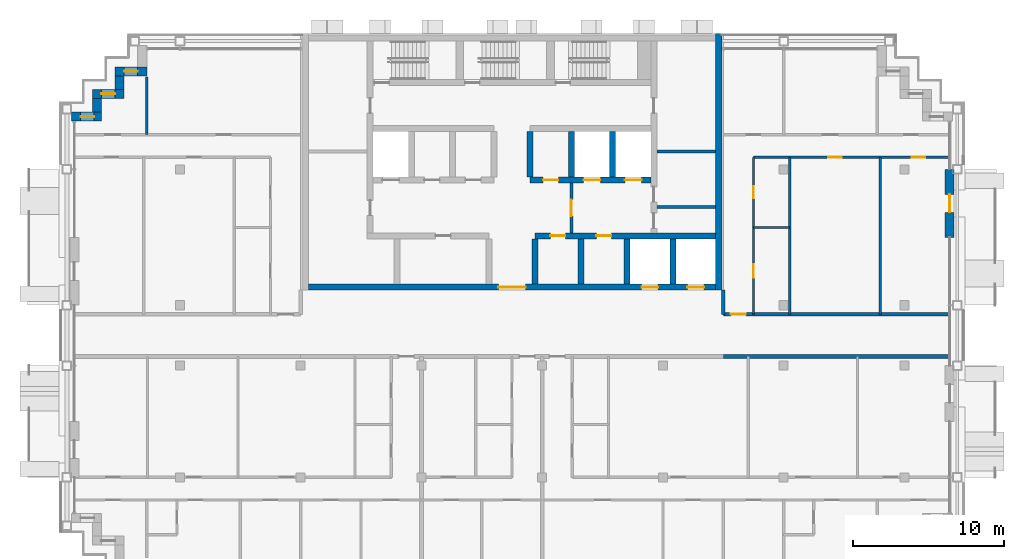
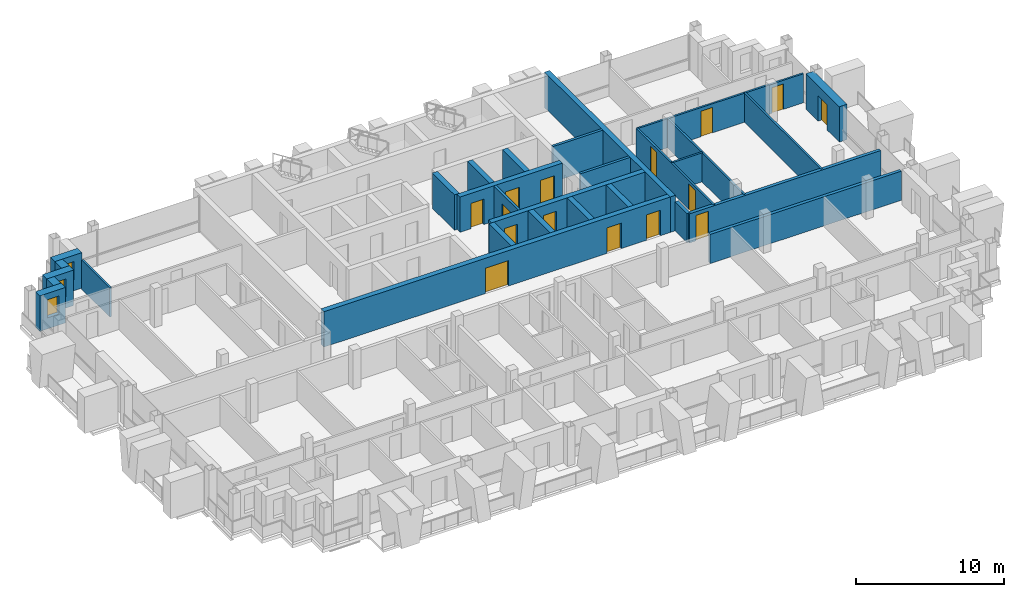
# One storey, part 10 of 16: 29 walls, 15 doors, 3 windows, 18 openings.
"""IFC4 building model written with IfcOpenShell, lengths in metres."""

from ifc_helpers import new_model, si_unit, direction, frame, frame_2d, origin, place, context, subcontext, project, spatial, rectangle, extrude, material, layer, layer_set, type_object, element, fill, save


model = new_model("IFC4")

# Units and contexts
model_context = context("Model", 3, precision=1e-05, world=origin(), true_north=direction((0.0, 1.0)))
body_context = subcontext(model_context, "Body", "Model", "MODEL_VIEW")
ifc_project = project(units=[si_unit("LENGTHUNIT", "METRE"), si_unit("AREAUNIT", "SQUARE_METRE"), si_unit("VOLUMEUNIT", "CUBIC_METRE"), si_unit("PLANEANGLEUNIT", "RADIAN"), si_unit("MASSUNIT", "GRAM", prefix="KILO")], contexts=[model_context])

# Site, building, storey
site_placement = place(None, origin())
site = spatial("IfcSite", under=ifc_project, at=site_placement, CompositionType="ELEMENT")
building_placement = place(site_placement, origin())
building = spatial("IfcBuilding", under=site, at=building_placement, Name="Vidyagriha Tower", CompositionType="ELEMENT")
storey_placement = place(building_placement, frame((0.0, 0.0, 220.39990234375)))
storey = spatial("IfcBuildingStorey", under=building, at=storey_placement, Name="L57", CompositionType="ELEMENT", Elevation=220.39990234375)

# Wall, opening, window
ifc_material_1 = material(Name="Precast concrete C40/50 with brick facing", Category="concrete")
ifc_layer_1 = layer(ifc_material_1, 0.60009765625)
ifc_layer_set_1 = layer_set([ifc_layer_1], Name="Precast concrete C40/50 with brick facing")
wall_type_1 = type_object("IfcWallType", Name="Brick-faced precast wall 600", PredefinedType="STANDARD", material=ifc_layer_set_1)
wall_1_placement = place(storey_placement, frame((-24.199951171875, 17.5, 0.0), z_axis=(0.0, 0.0, 1.0), x_axis=(-1.0, 0.0, 0.0)))
wall_1 = element("IfcWall", 1, at=wall_1_placement, inside=storey, type_object=wall_type_1, Name="Stepped corner wall L57 R11", PredefinedType="STANDARD", context=body_context, shape_type="SweptSolid", body=[
    extrude(rectangle(XDim=2.10009765625, YDim=0.60009765625, at=frame_2d((1.050048828125, 0.0))), origin(), (0.0, 0.0, 1.0), 2.920166015625),
])
opening_1_placement = place(wall_1_placement, frame((0.60009765625, 0.0, 0.89990234375)))
opening_1 = element("IfcOpeningElement", 2, at=opening_1_placement, cuts=wall_1, Name="Opening WN1", PredefinedType="OPENING", context=body_context, shape_type="SweptSolid", body=[
    extrude(rectangle(XDim=0.89990234375, YDim=1.5, at=frame_2d((0.449951171875, 0.75))), frame((0.0, 0.31005859375, 0.0), z_axis=(0.0, -1.0, 0.0), x_axis=(1.0, 0.0, 0.0)), (0.0, 0.0, 1.0), 0.6201171875),
])
ifc_material_2 = material(Name="Aluminium and glass window", Category="aluminium")
window_type = type_object("IfcWindowType", Name="Reveal window 900x1500", PartitioningType="NOTDEFINED", PredefinedType="WINDOW", material=ifc_material_2)
window_1_placement = place(opening_1_placement, origin())
window_1 = element("IfcWindow", 3, at=window_1_placement, inside=storey, type_object=window_type, Name="Reveal window L57 R11", OverallHeight=1.5, OverallWidth=0.89990234375, PartitioningType="SINGLE_PANEL", PredefinedType="WINDOW", context=body_context, shape_type="SweptSolid", body=[
    extrude(rectangle(XDim=0.89990234375, YDim=1.5, at=frame_2d((0.449951171875, 0.75))), frame((0.0, 0.030029296875, 0.0), z_axis=(0.0, -1.0, 0.0), x_axis=(1.0, 0.0, 0.0)), (0.0, 0.0, 1.0), 0.06005859375),
])
fill(opening_1, window_1)

# Wall
wall_2_placement = place(storey_placement, frame((-26.0, 17.199951171875, 0.0), z_axis=(0.0, 0.0, 1.0), x_axis=(0.0, -1.0, 0.0)))
element("IfcWall", 4, at=wall_2_placement, inside=storey, type_object=wall_type_1, Name="Stepped corner wall L57 R12", PredefinedType="STANDARD", context=body_context, shape_type="SweptSolid", body=[
    extrude(rectangle(XDim=0.89990234375, YDim=0.60009765625, at=frame_2d((0.449951171875, 0.0))), origin(), (0.0, 0.0, 1.0), 2.920166015625),
])

# Wall, opening, window
wall_3_placement = place(storey_placement, frame((-25.699951171875, 16.0, 0.0), z_axis=(0.0, 0.0, 1.0), x_axis=(-1.0, 0.0, 0.0)))
wall_3 = element("IfcWall", 5, at=wall_3_placement, inside=storey, type_object=wall_type_1, Name="Stepped corner wall L57 R13", PredefinedType="STANDARD", context=body_context, shape_type="SweptSolid", body=[
    extrude(rectangle(XDim=2.10009765625, YDim=0.60009765625, at=frame_2d((1.050048828125, 0.0))), origin(), (0.0, 0.0, 1.0), 2.920166015625),
])
opening_2_placement = place(wall_3_placement, frame((0.60009765625, 0.0, 0.89990234375)))
opening_2 = element("IfcOpeningElement", 6, at=opening_2_placement, cuts=wall_3, Name="Opening WN1", PredefinedType="OPENING", context=body_context, shape_type="SweptSolid", body=[
    extrude(rectangle(XDim=0.89990234375, YDim=1.5, at=frame_2d((0.449951171875, 0.75))), frame((0.0, 0.31005859375, 0.0), z_axis=(0.0, -1.0, 0.0), x_axis=(1.0, 0.0, 0.0)), (0.0, 0.0, 1.0), 0.6201171875),
])
window_2_placement = place(opening_2_placement, origin())
window_2 = element("IfcWindow", 7, at=window_2_placement, inside=storey, type_object=window_type, Name="Reveal window L57 R13", OverallHeight=1.5, OverallWidth=0.89990234375, PartitioningType="SINGLE_PANEL", PredefinedType="WINDOW", context=body_context, shape_type="SweptSolid", body=[
    extrude(rectangle(XDim=0.89990234375, YDim=1.5, at=frame_2d((0.449951171875, 0.75))), frame((0.0, 0.030029296875, 0.0), z_axis=(0.0, -1.0, 0.0), x_axis=(1.0, 0.0, 0.0)), (0.0, 0.0, 1.0), 0.06005859375),
])
fill(opening_2, window_2)

# Wall
wall_4_placement = place(storey_placement, frame((-27.5, 15.699951171875, 0.0), z_axis=(0.0, 0.0, 1.0), x_axis=(0.0, -1.0, 0.0)))
element("IfcWall", 8, at=wall_4_placement, inside=storey, type_object=wall_type_1, Name="Stepped corner wall L57 R14", PredefinedType="STANDARD", context=body_context, shape_type="SweptSolid", body=[
    extrude(rectangle(XDim=0.89990234375, YDim=0.60009765625, at=frame_2d((0.449951171875, 0.0))), origin(), (0.0, 0.0, 1.0), 2.920166015625),
])

# Wall, opening, window
wall_5_placement = place(storey_placement, frame((-27.199951171875, 14.5, 0.0), z_axis=(0.0, 0.0, 1.0), x_axis=(-1.0, 0.0, 0.0)))
wall_5 = element("IfcWall", 9, at=wall_5_placement, inside=storey, type_object=wall_type_1, Name="Stepped corner wall L57 R15", PredefinedType="STANDARD", context=body_context, shape_type="SweptSolid", body=[
    extrude(rectangle(XDim=2.0, YDim=0.60009765625, at=frame_2d((1.0, 0.0))), origin(), (0.0, 0.0, 1.0), 2.920166015625),
])
opening_3_placement = place(wall_5_placement, frame((0.489990234375, 0.0, 0.89990234375)))
opening_3 = element("IfcOpeningElement", 10, at=opening_3_placement, cuts=wall_5, Name="Opening WN1", PredefinedType="OPENING", context=body_context, shape_type="SweptSolid", body=[
    extrude(rectangle(XDim=0.89990234375, YDim=1.5, at=frame_2d((0.449951171875, 0.75))), frame((0.0, 0.31005859375, 0.0), z_axis=(0.0, -1.0, 0.0), x_axis=(1.0, 0.0, 0.0)), (0.0, 0.0, 1.0), 0.6201171875),
])
window_3_placement = place(opening_3_placement, origin())
window_3 = element("IfcWindow", 11, at=window_3_placement, inside=storey, type_object=window_type, Name="Reveal window L57 R15", OverallHeight=1.5, OverallWidth=0.89990234375, PartitioningType="SINGLE_PANEL", PredefinedType="WINDOW", context=body_context, shape_type="SweptSolid", body=[
    extrude(rectangle(XDim=0.89990234375, YDim=1.5, at=frame_2d((0.449951171875, 0.75))), frame((0.0, 0.030029296875, 0.0), z_axis=(0.0, -1.0, 0.0), x_axis=(1.0, 0.0, 0.0)), (0.0, 0.0, 1.0), 0.06005859375),
])
fill(opening_3, window_3)

# Wall, opening, door
wall_6_placement = place(storey_placement, frame((29.0, 6.5, 0.0), z_axis=(0.0, 0.0, 1.0), x_axis=(0.0, 1.0, 0.0)))
wall_6 = element("IfcWall", 12, at=wall_6_placement, inside=storey, type_object=wall_type_1, Name="Brick door bay wall L57 R30.6", PredefinedType="STANDARD", context=body_context, shape_type="SweptSolid", body=[
    extrude(rectangle(XDim=4.5, YDim=0.60009765625, at=frame_2d((2.25, 0.0))), origin(), (0.0, 0.0, 1.0), 2.920166015625),
])
opening_4_placement = place(wall_6_placement, frame((1.64990234375, 0.0, 0.0)))
opening_4 = element("IfcOpeningElement", 13, at=opening_4_placement, cuts=wall_6, Name="Opening D57-71", PredefinedType="OPENING", context=body_context, shape_type="SweptSolid", body=[
    extrude(rectangle(XDim=1.199951171875, YDim=2.10009765625, at=frame_2d((0.60009765625, 1.050048828125))), frame((0.0, 0.31005859375, 0.0), z_axis=(0.0, -1.0, 0.0), x_axis=(1.0, 0.0, 0.0)), (0.0, 0.0, 1.0), 0.6201171875),
])
ifc_material_3 = material(Name="Aluminium framed glazed sliding door", Category="aluminium")
door_type_1 = type_object("IfcDoorType", Name="Balcony sliding door 1200x2100", OperationType="NOTDEFINED", PredefinedType="DOOR", material=ifc_material_3)
door_1_placement = place(opening_4_placement, origin())
door_1 = element("IfcDoor", 14, at=door_1_placement, inside=storey, type_object=door_type_1, Name="Door D57-71", OperationType="SLIDING_TO_LEFT", OverallHeight=2.10009765625, OverallWidth=1.199951171875, PredefinedType="DOOR", context=body_context, shape_type="SweptSolid", body=[
    extrude(rectangle(XDim=1.199951171875, YDim=2.10009765625, at=frame_2d((0.60009765625, 1.050048828125))), frame((0.0, 0.02490234375, 0.0), z_axis=(0.0, -1.0, 0.0), x_axis=(1.0, 0.0, 0.0)), (0.0, 0.0, 1.0), 0.050048828125),
])
fill(opening_4, door_1)

# Wall
ifc_material_4 = material(Name="Concrete C60/75", Category="concrete")
ifc_layer_2 = layer(ifc_material_4, 0.39990234375)
ifc_layer_set_2 = layer_set([ifc_layer_2], Name="Concrete C60/75")
wall_type_2 = type_object("IfcWallType", Name="Core shear wall 400 mm", PredefinedType="SHEAR", material=ifc_layer_set_2)
wall_7_placement = place(storey_placement, frame((13.699951171875, 3.0, 0.0), z_axis=(0.0, 0.0, 1.0), x_axis=(0.0, 1.0, 0.0)))
element("IfcWall", 15, at=wall_7_placement, inside=storey, type_object=wall_type_2, Name="Core east wall", PredefinedType="SHEAR", context=body_context, shape_type="SweptSolid", body=[
    extrude(rectangle(XDim=17.0, YDim=0.39990234375, at=frame_2d((8.5, 0.0))), origin(), (0.0, 0.0, 1.0), 2.920166015625),
])

# Wall, openings, doors
wall_8_placement = place(storey_placement, frame((-13.5, 3.199951171875, 0.0)))
wall_8 = element("IfcWall", 16, at=wall_8_placement, inside=storey, type_object=wall_type_2, Name="Core front wall", PredefinedType="SHEAR", context=body_context, shape_type="SweptSolid", body=[
    extrude(rectangle(XDim=27.0, YDim=0.39990234375, at=frame_2d((13.5, 0.0))), origin(), (0.0, 0.0, 1.0), 2.920166015625),
])
opening_5_placement = place(wall_8_placement, frame((22.083251953125, 0.0, 0.0)))
opening_5 = element("IfcOpeningElement", 17, at=opening_5_placement, cuts=wall_8, Name="Opening LD57-01", PredefinedType="OPENING", context=body_context, shape_type="SweptSolid", body=[
    extrude(rectangle(XDim=1.10009765625, YDim=2.10009765625, at=frame_2d((0.550048828125, 1.050048828125))), frame((0.0, 0.2099609375, 0.0), z_axis=(0.0, -1.0, 0.0), x_axis=(1.0, 0.0, 0.0)), (0.0, 0.0, 1.0), 0.419921875),
])
opening_6_placement = place(wall_8_placement, frame((25.127685546875, 0.0, 0.0)))
opening_6 = element("IfcOpeningElement", 18, at=opening_6_placement, cuts=wall_8, Name="Opening LD57-02", PredefinedType="OPENING", context=body_context, shape_type="SweptSolid", body=[
    extrude(rectangle(XDim=1.10009765625, YDim=2.10009765625, at=frame_2d((0.550048828125, 1.050048828125))), frame((0.0, 0.2099609375, 0.0), z_axis=(0.0, -1.0, 0.0), x_axis=(1.0, 0.0, 0.0)), (0.0, 0.0, 1.0), 0.419921875),
])
opening_7_placement = place(wall_8_placement, frame((12.60009765625, 0.0, 0.0)))
opening_7 = element("IfcOpeningElement", 19, at=opening_7_placement, cuts=wall_8, Name="Opening D57-01", PredefinedType="OPENING", context=body_context, shape_type="SweptSolid", body=[
    extrude(rectangle(XDim=1.800048828125, YDim=2.10009765625, at=frame_2d((0.89990234375, 1.050048828125))), frame((0.0, 0.2099609375, 0.0), z_axis=(0.0, -1.0, 0.0), x_axis=(1.0, 0.0, 0.0)), (0.0, 0.0, 1.0), 0.419921875),
])
ifc_material_5 = material(Name="Hollow metal door leaf")
door_type_2 = type_object("IfcDoorType", Name="Core lobby double door 1800 x 2100 mm EI 60", OperationType="NOTDEFINED", PredefinedType="DOOR", material=ifc_material_5)
door_2_placement = place(opening_7_placement, frame((1.800048828125, 0.0, 0.0), z_axis=(0.0, 0.0, 1.0), x_axis=(-1.0, 0.0, 0.0)))
door_2 = element("IfcDoor", 20, at=door_2_placement, inside=storey, type_object=door_type_2, Name="Core entrance door L57", OperationType="DOUBLE_DOOR_SINGLE_SWING", OverallHeight=2.10009765625, OverallWidth=1.800048828125, PredefinedType="DOOR", context=body_context, shape_type="SweptSolid", body=[
    extrude(rectangle(XDim=1.800048828125, YDim=2.10009765625, at=frame_2d((0.89990234375, 1.050048828125))), frame((0.0, 0.02490234375, 0.0), z_axis=(0.0, -1.0, 0.0), x_axis=(1.0, 0.0, 0.0)), (0.0, 0.0, 1.0), 0.050048828125),
])
fill(opening_7, door_2)
ifc_material_6 = material(Name="Stainless steel sliding door panel", Category="steel")
door_type_3 = type_object("IfcDoorType", Name="Lift landing door 1100 x 2100 mm EI 90", OperationType="NOTDEFINED", PredefinedType="DOOR", material=ifc_material_6)
door_3_placement = place(opening_5_placement, origin())
door_3 = element("IfcDoor", 21, at=door_3_placement, inside=storey, type_object=door_type_3, Name="Landing door MR1 L57", OperationType="SLIDING_TO_LEFT", OverallHeight=2.10009765625, OverallWidth=1.10009765625, PredefinedType="DOOR", context=body_context, shape_type="SweptSolid", body=[
    extrude(rectangle(XDim=1.10009765625, YDim=2.10009765625, at=frame_2d((0.550048828125, 1.050048828125))), frame((0.0, 0.02490234375, 0.0), z_axis=(0.0, -1.0, 0.0), x_axis=(1.0, 0.0, 0.0)), (0.0, 0.0, 1.0), 0.050048828125),
])
fill(opening_5, door_3)
door_4_placement = place(opening_6_placement, origin())
door_4 = element("IfcDoor", 22, at=door_4_placement, inside=storey, type_object=door_type_3, Name="Landing door MR2 L57", OperationType="SLIDING_TO_LEFT", OverallHeight=2.10009765625, OverallWidth=1.10009765625, PredefinedType="DOOR", context=body_context, shape_type="SweptSolid", body=[
    extrude(rectangle(XDim=1.10009765625, YDim=2.10009765625, at=frame_2d((0.550048828125, 1.050048828125))), frame((0.0, 0.02490234375, 0.0), z_axis=(0.0, -1.0, 0.0), x_axis=(1.0, 0.0, 0.0)), (0.0, 0.0, 1.0), 0.050048828125),
])
fill(opening_6, door_4)

wall_9_placement = place(storey_placement, frame((1.522216796875, 6.60009765625, 0.0)))
wall_9 = element("IfcWall", 23, at=wall_9_placement, inside=storey, type_object=wall_type_2, Name="Core lobby south wall east", PredefinedType="SHEAR", context=body_context, shape_type="SweptSolid", body=[
    extrude(rectangle(XDim=11.977783203125, YDim=0.39990234375, at=frame_2d((5.98876953125, 0.0))), origin(), (0.0, 0.0, 1.0), 2.920166015625),
])
opening_8_placement = place(wall_9_placement, frame((1.022216796875, 0.0, 0.0)))
opening_8 = element("IfcOpeningElement", 24, at=opening_8_placement, cuts=wall_9, Name="Opening D57-03", PredefinedType="OPENING", context=body_context, shape_type="SweptSolid", body=[
    extrude(rectangle(XDim=1.0, YDim=2.10009765625, at=frame_2d((0.5, 1.050048828125))), frame((0.0, 0.2099609375, 0.0), z_axis=(0.0, -1.0, 0.0), x_axis=(1.0, 0.0, 0.0)), (0.0, 0.0, 1.0), 0.419921875),
])
opening_9_placement = place(wall_9_placement, frame((4.066650390625, 0.0, 0.0)))
opening_9 = element("IfcOpeningElement", 25, at=opening_9_placement, cuts=wall_9, Name="Opening D57-04", PredefinedType="OPENING", context=body_context, shape_type="SweptSolid", body=[
    extrude(rectangle(XDim=1.0, YDim=2.10009765625, at=frame_2d((0.5, 1.050048828125))), frame((0.0, 0.2099609375, 0.0), z_axis=(0.0, -1.0, 0.0), x_axis=(1.0, 0.0, 0.0)), (0.0, 0.0, 1.0), 0.419921875),
])
ifc_material_7 = material(Name="Hollow metal door leaf")
door_type_4 = type_object("IfcDoorType", Name="Core room door 1000 x 2100 mm EI 60", OperationType="NOTDEFINED", PredefinedType="DOOR", material=ifc_material_7)
door_5_placement = place(opening_8_placement, origin())
door_5 = element("IfcDoor", 26, at=door_5_placement, inside=storey, type_object=door_type_4, Name="Door Switchgear Room 57.02", OperationType="SINGLE_SWING_RIGHT", OverallHeight=2.10009765625, OverallWidth=1.0, PredefinedType="DOOR", context=body_context, shape_type="SweptSolid", body=[
    extrude(rectangle(XDim=1.0, YDim=2.10009765625, at=frame_2d((0.5, 1.050048828125))), frame((0.0, 0.02490234375, 0.0), z_axis=(0.0, -1.0, 0.0), x_axis=(1.0, 0.0, 0.0)), (0.0, 0.0, 1.0), 0.050048828125),
])
fill(opening_8, door_5)
door_6_placement = place(opening_9_placement, origin())
door_6 = element("IfcDoor", 27, at=door_6_placement, inside=storey, type_object=door_type_4, Name="Door Switchgear Room 57.03", OperationType="SINGLE_SWING_RIGHT", OverallHeight=2.10009765625, OverallWidth=1.0, PredefinedType="DOOR", context=body_context, shape_type="SweptSolid", body=[
    extrude(rectangle(XDim=1.0, YDim=2.10009765625, at=frame_2d((0.5, 1.050048828125))), frame((0.0, 0.02490234375, 0.0), z_axis=(0.0, -1.0, 0.0), x_axis=(1.0, 0.0, 0.0)), (0.0, 0.0, 1.0), 0.050048828125),
])
fill(opening_9, door_6)

# Walls
for number, where, z_axis, x_axis, name in (
    (28, (1.522216796875, 3.39990234375, 0.0), (0.0, 0.0, 1.0), (0.0, 1.0, 0.0), "Core bay wall S5"),
    (29, (4.566650390625, 3.39990234375, 0.0), (0.0, 0.0, 1.0), (0.0, 1.0, 0.0), "Core bay wall S6"),
    (30, (7.611083984375, 3.39990234375, 0.0), (0.0, 0.0, 1.0), (0.0, 1.0, 0.0), "Core bay wall S7"),
    (31, (10.655517578125, 3.39990234375, 0.0), (0.0, 0.0, 1.0), (0.0, 1.0, 0.0), "Core bay wall S8"),
):
    element("IfcWall", number, at=place(storey_placement, frame(where, z_axis=z_axis, x_axis=x_axis)), inside=storey, type_object=wall_type_2, Name=name, PredefinedType="SHEAR", context=body_context, shape_type="SweptSolid", body=[
        extrude(rectangle(XDim=3.0, YDim=0.39990234375, at=frame_2d((1.5, 0.0))), origin(), (0.0, 0.0, 1.0), 2.920166015625),
    ])

# Wall, openings, doors
wall_10_placement = place(storey_placement, frame((1.199951171875, 10.300048828125, 0.0)))
wall_10 = element("IfcWall", 32, at=wall_10_placement, inside=storey, type_object=wall_type_2, Name="Core row N front wall", PredefinedType="SHEAR", context=body_context, shape_type="SweptSolid", body=[
    extrude(rectangle(XDim=8.0, YDim=0.39990234375, at=frame_2d((4.0, 0.0))), origin(), (0.0, 0.0, 1.0), 2.920166015625),
])
opening_10_placement = place(wall_10_placement, frame((3.550048828125, 0.0, 0.0)))
opening_10 = element("IfcOpeningElement", 33, at=opening_10_placement, cuts=wall_10, Name="Opening LD57-04", PredefinedType="OPENING", context=body_context, shape_type="SweptSolid", body=[
    extrude(rectangle(XDim=1.10009765625, YDim=2.10009765625, at=frame_2d((0.550048828125, 1.050048828125))), frame((0.0, 0.2099609375, 0.0), z_axis=(0.0, -1.0, 0.0), x_axis=(1.0, 0.0, 0.0)), (0.0, 0.0, 1.0), 0.419921875),
])
opening_11_placement = place(wall_10_placement, frame((6.283203125, 0.0, 0.0)))
opening_11 = element("IfcOpeningElement", 34, at=opening_11_placement, cuts=wall_10, Name="Opening LD57-05", PredefinedType="OPENING", context=body_context, shape_type="SweptSolid", body=[
    extrude(rectangle(XDim=1.10009765625, YDim=2.10009765625, at=frame_2d((0.550048828125, 1.050048828125))), frame((0.0, 0.2099609375, 0.0), z_axis=(0.0, -1.0, 0.0), x_axis=(1.0, 0.0, 0.0)), (0.0, 0.0, 1.0), 0.419921875),
])
opening_12_placement = place(wall_10_placement, frame((0.86669921875, 0.0, 0.0)))
opening_12 = element("IfcOpeningElement", 35, at=opening_12_placement, cuts=wall_10, Name="Opening D57-07", PredefinedType="OPENING", context=body_context, shape_type="SweptSolid", body=[
    extrude(rectangle(XDim=1.0, YDim=2.10009765625, at=frame_2d((0.5, 1.050048828125))), frame((0.0, 0.2099609375, 0.0), z_axis=(0.0, -1.0, 0.0), x_axis=(1.0, 0.0, 0.0)), (0.0, 0.0, 1.0), 0.419921875),
])
door_7_placement = place(opening_12_placement, frame((1.0, 0.0, 0.0), z_axis=(0.0, 0.0, 1.0), x_axis=(-1.0, 0.0, 0.0)))
door_7 = element("IfcDoor", 36, at=door_7_placement, inside=storey, type_object=door_type_4, Name="Door Switchgear Room 57.16", OperationType="SINGLE_SWING_LEFT", OverallHeight=2.10009765625, OverallWidth=1.0, PredefinedType="DOOR", context=body_context, shape_type="SweptSolid", body=[
    extrude(rectangle(XDim=1.0, YDim=2.10009765625, at=frame_2d((0.5, 1.050048828125))), frame((0.0, 0.02490234375, 0.0), z_axis=(0.0, -1.0, 0.0), x_axis=(1.0, 0.0, 0.0)), (0.0, 0.0, 1.0), 0.050048828125),
])
fill(opening_12, door_7)
door_8_placement = place(opening_10_placement, origin())
door_8 = element("IfcDoor", 37, at=door_8_placement, inside=storey, type_object=door_type_3, Name="Landing door FF1 L57", OperationType="SLIDING_TO_LEFT", OverallHeight=2.10009765625, OverallWidth=1.10009765625, PredefinedType="DOOR", context=body_context, shape_type="SweptSolid", body=[
    extrude(rectangle(XDim=1.10009765625, YDim=2.10009765625, at=frame_2d((0.550048828125, 1.050048828125))), frame((0.0, 0.02490234375, 0.0), z_axis=(0.0, -1.0, 0.0), x_axis=(1.0, 0.0, 0.0)), (0.0, 0.0, 1.0), 0.050048828125),
])
fill(opening_10, door_8)
door_9_placement = place(opening_11_placement, origin())
door_9 = element("IfcDoor", 38, at=door_9_placement, inside=storey, type_object=door_type_3, Name="Landing door FF2 L57", OperationType="SLIDING_TO_LEFT", OverallHeight=2.10009765625, OverallWidth=1.10009765625, PredefinedType="DOOR", context=body_context, shape_type="SweptSolid", body=[
    extrude(rectangle(XDim=1.10009765625, YDim=2.10009765625, at=frame_2d((0.550048828125, 1.050048828125))), frame((0.0, 0.02490234375, 0.0), z_axis=(0.0, -1.0, 0.0), x_axis=(1.0, 0.0, 0.0)), (0.0, 0.0, 1.0), 0.050048828125),
])
fill(opening_11, door_9)

# Walls
for number, where, z_axis, x_axis, name in (
    (39, (1.199951171875, 10.5, 0.0), (0.0, 0.0, 1.0), (0.0, 1.0, 0.0), "Core bay wall N4"),
    (40, (3.933349609375, 10.5, 0.0), (0.0, 0.0, 1.0), (0.0, 1.0, 0.0), "Core bay wall N5"),
    (41, (6.666748046875, 10.5, 0.0), (0.0, 0.0, 1.0), (0.0, 1.0, 0.0), "Core bay wall N6"),
):
    element("IfcWall", number, at=place(storey_placement, frame(where, z_axis=z_axis, x_axis=x_axis)), inside=storey, type_object=wall_type_2, Name=name, PredefinedType="SHEAR", context=body_context, shape_type="SweptSolid", body=[
        extrude(rectangle(XDim=3.0, YDim=0.39990234375, at=frame_2d((1.5, 0.0))), origin(), (0.0, 0.0, 1.0), 2.920166015625),
    ])
ifc_material_8 = material(Name="Fired clay brick masonry", Category="masonry")
ifc_layer_3 = layer(ifc_material_8, 0.25)
ifc_layer_set_3 = layer_set([ifc_layer_3], Name="Fired clay brick masonry")
wall_type_3 = type_object("IfcWallType", Name="Fired clay brick corridor wall 250", PredefinedType="PARTITIONING", material=ifc_layer_set_3)
wall_11_placement = place(storey_placement, frame((28.919921875, -1.39990234375, 0.0), z_axis=(0.0, 0.0, 1.0), x_axis=(-1.0, 0.0, 0.0)))
element("IfcWall", 42, at=wall_11_placement, inside=storey, type_object=wall_type_3, Name="Wall all-L57-w066", PredefinedType="PARTITIONING", context=body_context, shape_type="SweptSolid", body=[
    extrude(rectangle(XDim=14.919921875, YDim=0.25, at=frame_2d((7.4599609375, 0.0))), origin(), (0.0, 0.0, 1.0), 2.400146484375),
])

# Wall, opening, door
wall_12_placement = place(storey_placement, frame((14.0, 1.39990234375, 0.0)))
wall_12 = element("IfcWall", 43, at=wall_12_placement, inside=storey, type_object=wall_type_3, Name="Wall all-L57-w098", PredefinedType="PARTITIONING", context=body_context, shape_type="SweptSolid", body=[
    extrude(rectangle(XDim=14.919921875, YDim=0.25, at=frame_2d((7.4599609375, 0.0))), origin(), (0.0, 0.0, 1.0), 2.400146484375),
])
opening_13_placement = place(wall_12_placement, frame((0.5, 0.0, 0.0)))
opening_13 = element("IfcOpeningElement", 44, at=opening_13_placement, cuts=wall_12, Name="Opening D57-61", PredefinedType="OPENING", context=body_context, shape_type="SweptSolid", body=[
    extrude(rectangle(XDim=1.0, YDim=2.10009765625, at=frame_2d((0.5, 1.050048828125))), frame((0.0, 0.135009765625, 0.0), z_axis=(0.0, -1.0, 0.0), x_axis=(1.0, 0.0, 0.0)), (0.0, 0.0, 1.0), 0.27001953125),
])
ifc_material_9 = material(Name="Fire-rated timber door leaf EI 60", Category="wood")
door_type_5 = type_object("IfcDoorType", Name="Flat entrance fire door 1000x2100", OperationType="NOTDEFINED", PredefinedType="DOOR", material=ifc_material_9)
door_10_placement = place(opening_13_placement, origin())
door_10 = element("IfcDoor", 45, at=door_10_placement, inside=storey, type_object=door_type_5, Name="Door D57-61", OperationType="SINGLE_SWING_LEFT", OverallHeight=2.10009765625, OverallWidth=1.0, PredefinedType="DOOR", context=body_context, shape_type="SweptSolid", body=[
    extrude(rectangle(XDim=1.0, YDim=2.10009765625, at=frame_2d((0.5, 1.050048828125))), frame((0.0, 0.02490234375, 0.0), z_axis=(0.0, -1.0, 0.0), x_axis=(1.0, 0.0, 0.0)), (0.0, 0.0, 1.0), 0.050048828125),
])
fill(opening_13, door_10)

# Walls
wall_13_placement = place(storey_placement, frame((14.0, 1.39990234375, 0.0), z_axis=(0.0, 0.0, 1.0), x_axis=(0.0, 1.0, 0.0)))
element("IfcWall", 46, at=wall_13_placement, inside=storey, type_object=wall_type_3, Name="Wall all-L57-w101", PredefinedType="PARTITIONING", context=body_context, shape_type="SweptSolid", body=[
    extrude(rectangle(XDim=1.60009765625, YDim=0.25, at=frame_2d((0.800048828125, 0.0))), origin(), (0.0, 0.0, 1.0), 2.400146484375),
])
ifc_material_10 = material(Name="Gypsum board partition")
ifc_layer_4 = layer(ifc_material_10, 0.14990234375)
ifc_layer_set_4 = layer_set([ifc_layer_4], Name="Gypsum board partition")
wall_type_4 = type_object("IfcWallType", Name="Gypsum board partition 150", PredefinedType="PARTITIONING", material=ifc_layer_set_4)
wall_14_placement = place(storey_placement, frame((-24.199951171875, 17.1201171875, 0.0), z_axis=(0.0, 0.0, 1.0), x_axis=(0.0, -1.0, 0.0)))
element("IfcWall", 47, at=wall_14_placement, inside=storey, type_object=wall_type_4, Name="Wall all-L57-w079", PredefinedType="PARTITIONING", context=body_context, shape_type="SweptSolid", body=[
    extrude(rectangle(XDim=3.820068359375, YDim=0.14990234375, at=frame_2d((1.91015625, 0.0))), origin(), (0.0, 0.0, 1.0), 2.400146484375),
])
wall_15_placement = place(storey_placement, frame((16.0, 7.14990234375, 0.0)))
element("IfcWall", 48, at=wall_15_placement, inside=storey, type_object=wall_type_4, Name="Wall all-L57-w085", PredefinedType="PARTITIONING", context=body_context, shape_type="SweptSolid", body=[
    extrude(rectangle(XDim=2.39990234375, YDim=0.14990234375, at=frame_2d((1.199951171875, 0.0))), origin(), (0.0, 0.0, 1.0), 2.400146484375),
])
for number, where, z_axis, x_axis, name in (
    (49, (18.39990234375, 11.800048828125, 0.0), (0.0, 0.0, 1.0), (0.0, -1.0, 0.0), "Wall all-L57-w086"),
    (50, (24.39990234375, 11.800048828125, 0.0), (0.0, 0.0, 1.0), (0.0, -1.0, 0.0), "Wall all-L57-w087"),
):
    element("IfcWall", number, at=place(storey_placement, frame(where, z_axis=z_axis, x_axis=x_axis)), inside=storey, type_object=wall_type_4, Name=name, PredefinedType="PARTITIONING", context=body_context, shape_type="SweptSolid", body=[
        extrude(rectangle(XDim=10.400146484375, YDim=0.14990234375, at=frame_2d((5.2001953125, 0.0))), origin(), (0.0, 0.0, 1.0), 2.400146484375),
    ])

# Wall, openings, doors
wall_16_placement = place(storey_placement, frame((28.919921875, 11.800048828125, 0.0), z_axis=(0.0, 0.0, 1.0), x_axis=(-1.0, 0.0, 0.0)))
wall_16 = element("IfcWall", 51, at=wall_16_placement, inside=storey, type_object=wall_type_4, Name="Wall all-L57-w088", PredefinedType="PARTITIONING", context=body_context, shape_type="SweptSolid", body=[
    extrude(rectangle(XDim=12.919921875, YDim=0.14990234375, at=frame_2d((6.4599609375, 0.0))), origin(), (0.0, 0.0, 1.0), 2.400146484375),
])
opening_14_placement = place(wall_16_placement, frame((7.070068359375, 0.0, 0.0)))
opening_14 = element("IfcOpeningElement", 52, at=opening_14_placement, cuts=wall_16, Name="Opening D57-56", PredefinedType="OPENING", context=body_context, shape_type="SweptSolid", body=[
    extrude(rectangle(XDim=0.89990234375, YDim=2.10009765625, at=frame_2d((0.449951171875, 1.050048828125))), frame((0.0, 0.0849609375, 0.0), z_axis=(0.0, -1.0, 0.0), x_axis=(1.0, 0.0, 0.0)), (0.0, 0.0, 1.0), 0.169921875),
])
opening_15_placement = place(wall_16_placement, frame((1.5439453125, 0.0, 0.0)))
opening_15 = element("IfcOpeningElement", 53, at=opening_15_placement, cuts=wall_16, Name="Opening D57-57", PredefinedType="OPENING", context=body_context, shape_type="SweptSolid", body=[
    extrude(rectangle(XDim=0.89990234375, YDim=2.10009765625, at=frame_2d((0.449951171875, 1.050048828125))), frame((0.0, 0.0849609375, 0.0), z_axis=(0.0, -1.0, 0.0), x_axis=(1.0, 0.0, 0.0)), (0.0, 0.0, 1.0), 0.169921875),
])
ifc_material_11 = material(Name="Timber door leaf", Category="wood")
door_type_6 = type_object("IfcDoorType", Name="Room door 900x2100", OperationType="NOTDEFINED", PredefinedType="DOOR", material=ifc_material_11)
door_11_placement = place(opening_14_placement, origin())
door_11 = element("IfcDoor", 54, at=door_11_placement, inside=storey, type_object=door_type_6, Name="Door D57-56", OperationType="SINGLE_SWING_RIGHT", OverallHeight=2.10009765625, OverallWidth=0.89990234375, PredefinedType="DOOR", context=body_context, shape_type="SweptSolid", body=[
    extrude(rectangle(XDim=0.89990234375, YDim=2.10009765625, at=frame_2d((0.449951171875, 1.050048828125))), frame((0.0, 0.02490234375, 0.0), z_axis=(0.0, -1.0, 0.0), x_axis=(1.0, 0.0, 0.0)), (0.0, 0.0, 1.0), 0.050048828125),
])
fill(opening_14, door_11)
door_12_placement = place(opening_15_placement, origin())
door_12 = element("IfcDoor", 55, at=door_12_placement, inside=storey, type_object=door_type_6, Name="Door D57-57", OperationType="SINGLE_SWING_LEFT", OverallHeight=2.10009765625, OverallWidth=0.89990234375, PredefinedType="DOOR", context=body_context, shape_type="SweptSolid", body=[
    extrude(rectangle(XDim=0.89990234375, YDim=2.10009765625, at=frame_2d((0.449951171875, 1.050048828125))), frame((0.0, 0.02490234375, 0.0), z_axis=(0.0, -1.0, 0.0), x_axis=(1.0, 0.0, 0.0)), (0.0, 0.0, 1.0), 0.050048828125),
])
fill(opening_15, door_12)

ifc_material_12 = material(Name="Moisture resistant gypsum board partition")
ifc_layer_5 = layer(ifc_material_12, 0.14990234375)
ifc_layer_set_5 = layer_set([ifc_layer_5], Name="Moisture resistant gypsum board partition")
wall_type_5 = type_object("IfcWallType", Name="Gypsum board wet-area partition 150", PredefinedType="PARTITIONING", material=ifc_layer_set_5)
wall_17_placement = place(storey_placement, frame((16.0, 11.800048828125, 0.0), z_axis=(0.0, 0.0, 1.0), x_axis=(0.0, -1.0, 0.0)))
wall_17 = element("IfcWall", 56, at=wall_17_placement, inside=storey, type_object=wall_type_5, Name="Wall all-L57-w082", PredefinedType="PARTITIONING", context=body_context, shape_type="SweptSolid", body=[
    extrude(rectangle(XDim=10.400146484375, YDim=0.14990234375, at=frame_2d((5.2001953125, 0.0))), origin(), (0.0, 0.0, 1.0), 2.400146484375),
])
opening_16_placement = place(wall_17_placement, frame((7.074951171875, 0.0, 0.0)))
opening_16 = element("IfcOpeningElement", 57, at=opening_16_placement, cuts=wall_17, Name="Opening D57-54", PredefinedType="OPENING", context=body_context, shape_type="SweptSolid", body=[
    extrude(rectangle(XDim=0.89990234375, YDim=2.10009765625, at=frame_2d((0.449951171875, 1.050048828125))), frame((0.0, 0.0849609375, 0.0), z_axis=(0.0, -1.0, 0.0), x_axis=(1.0, 0.0, 0.0)), (0.0, 0.0, 1.0), 0.169921875),
])
opening_17_placement = place(wall_17_placement, frame((1.925048828125, 0.0, 0.0)))
opening_17 = element("IfcOpeningElement", 58, at=opening_17_placement, cuts=wall_17, Name="Opening D57-55", PredefinedType="OPENING", context=body_context, shape_type="SweptSolid", body=[
    extrude(rectangle(XDim=0.800048828125, YDim=2.10009765625, at=frame_2d((0.39990234375, 1.050048828125))), frame((0.0, 0.0849609375, 0.0), z_axis=(0.0, -1.0, 0.0), x_axis=(1.0, 0.0, 0.0)), (0.0, 0.0, 1.0), 0.169921875),
])
ifc_material_13 = material(Name="Timber door leaf", Category="wood")
door_type_7 = type_object("IfcDoorType", Name="Bathroom door 800x2100", OperationType="NOTDEFINED", PredefinedType="DOOR", material=ifc_material_13)
door_13_placement = place(opening_17_placement, origin())
door_13 = element("IfcDoor", 59, at=door_13_placement, inside=storey, type_object=door_type_7, Name="Door D57-55", OperationType="SINGLE_SWING_RIGHT", OverallHeight=2.10009765625, OverallWidth=0.800048828125, PredefinedType="DOOR", context=body_context, shape_type="SweptSolid", body=[
    extrude(rectangle(XDim=0.800048828125, YDim=2.10009765625, at=frame_2d((0.39990234375, 1.050048828125))), frame((0.0, 0.02490234375, 0.0), z_axis=(0.0, -1.0, 0.0), x_axis=(1.0, 0.0, 0.0)), (0.0, 0.0, 1.0), 0.050048828125),
])
fill(opening_17, door_13)
ifc_material_14 = material(Name="Timber door leaf", Category="wood")
door_type_8 = type_object("IfcDoorType", Name="Kitchen door 900x2100", OperationType="NOTDEFINED", PredefinedType="DOOR", material=ifc_material_14)
door_14_placement = place(opening_16_placement, origin())
door_14 = element("IfcDoor", 60, at=door_14_placement, inside=storey, type_object=door_type_8, Name="Door D57-54", OperationType="SINGLE_SWING_LEFT", OverallHeight=2.10009765625, OverallWidth=0.89990234375, PredefinedType="DOOR", context=body_context, shape_type="SweptSolid", body=[
    extrude(rectangle(XDim=0.89990234375, YDim=2.10009765625, at=frame_2d((0.449951171875, 1.050048828125))), frame((0.0, 0.02490234375, 0.0), z_axis=(0.0, -1.0, 0.0), x_axis=(1.0, 0.0, 0.0)), (0.0, 0.0, 1.0), 0.050048828125),
])
fill(opening_16, door_14)

# Wall, opening, door
ifc_material_15 = material(Name="Blockwork 15 MPa", Category="masonry")
ifc_layer_6 = layer(ifc_material_15, 0.199951171875)
ifc_layer_set_6 = layer_set([ifc_layer_6], Name="Blockwork 15 MPa")
wall_type_6 = type_object("IfcWallType", Name="Service room partition 200 mm", PredefinedType="PARTITIONING", material=ifc_layer_set_6)
wall_18_placement = place(storey_placement, frame((3.933349609375, 6.800048828125, 0.0), z_axis=(0.0, 0.0, 1.0), x_axis=(0.0, 1.0, 0.0)))
wall_18 = element("IfcWall", 61, at=wall_18_placement, inside=storey, type_object=wall_type_6, Name="Fire-fighting lobby west wall", PredefinedType="PARTITIONING", context=body_context, shape_type="SweptSolid", body=[
    extrude(rectangle(XDim=3.300048828125, YDim=0.199951171875, at=frame_2d((1.64990234375, 0.0))), origin(), (0.0, 0.0, 1.0), 2.920166015625),
])
opening_18_placement = place(wall_18_placement, frame((1.10009765625, 0.0, 0.0)))
opening_18 = element("IfcOpeningElement", 62, at=opening_18_placement, cuts=wall_18, Name="Opening D57-08", PredefinedType="OPENING", context=body_context, shape_type="SweptSolid", body=[
    extrude(rectangle(XDim=1.10009765625, YDim=2.10009765625, at=frame_2d((0.550048828125, 1.050048828125))), frame((0.0, 0.10986328125, 0.0), z_axis=(0.0, -1.0, 0.0), x_axis=(1.0, 0.0, 0.0)), (0.0, 0.0, 1.0), 0.219970703125),
])
ifc_material_16 = material(Name="Hollow metal door leaf")
door_type_9 = type_object("IfcDoorType", Name="Fire-fighting lobby door 1100 x 2100 mm EI 90", OperationType="NOTDEFINED", PredefinedType="DOOR", material=ifc_material_16)
door_15_placement = place(opening_18_placement, origin())
door_15 = element("IfcDoor", 63, at=door_15_placement, inside=storey, type_object=door_type_9, Name="Fire-fighting lobby door L57", OperationType="SINGLE_SWING_RIGHT", OverallHeight=2.10009765625, OverallWidth=1.10009765625, PredefinedType="DOOR", context=body_context, shape_type="SweptSolid", body=[
    extrude(rectangle(XDim=1.10009765625, YDim=2.10009765625, at=frame_2d((0.550048828125, 1.050048828125))), frame((0.0, 0.02490234375, 0.0), z_axis=(0.0, -1.0, 0.0), x_axis=(1.0, 0.0, 0.0)), (0.0, 0.0, 1.0), 0.050048828125),
])
fill(opening_18, door_15)

# Walls
for number, where, name in (
    (64, (9.60009765625, 8.5, 0.0), "Core room partition E1"),
    (65, (9.60009765625, 12.199951171875, 0.0), "Core room partition E2"),
):
    element("IfcWall", number, at=place(storey_placement, frame(where)), inside=storey, type_object=wall_type_6, Name=name, PredefinedType="PARTITIONING", context=body_context, shape_type="SweptSolid", body=[
        extrude(rectangle(XDim=3.89990234375, YDim=0.199951171875, at=frame_2d((1.949951171875, 0.0))), origin(), (0.0, 0.0, 1.0), 2.920166015625),
    ])

save(model, "model.ifc")
